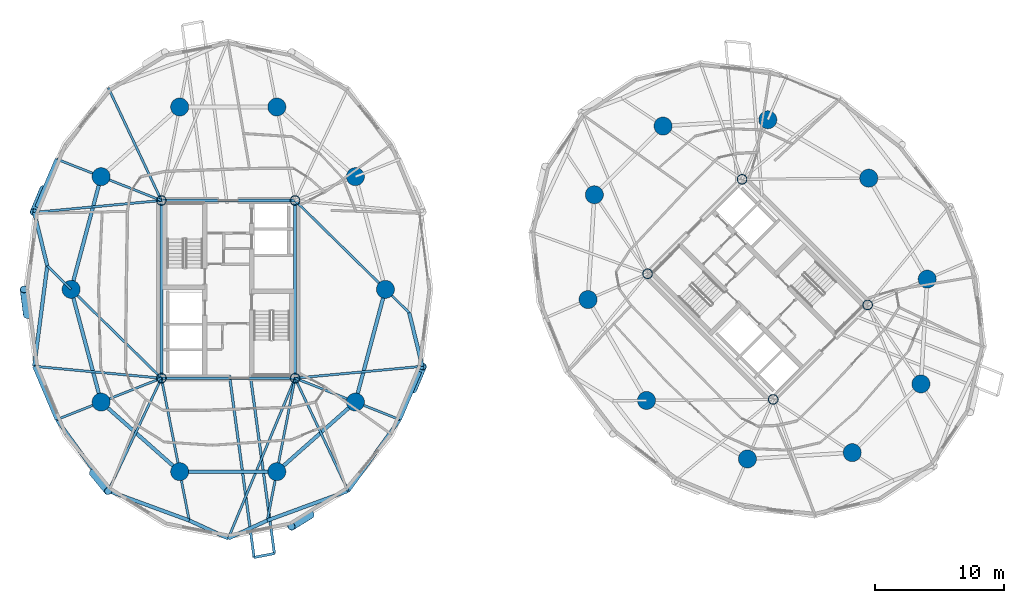
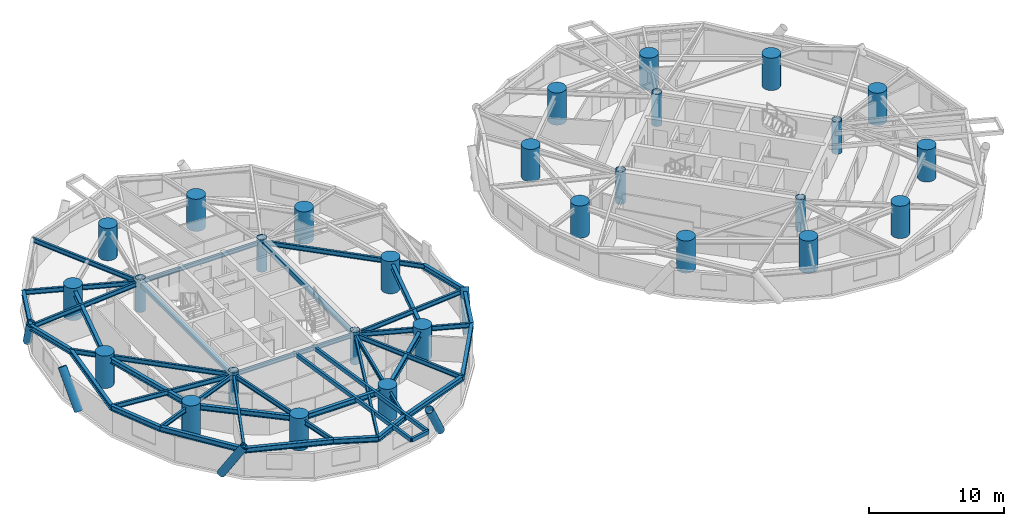
# One storey, part 1 of 17: 40 beams, 28 columns, 5 members.
"""IFC4 building model written with IfcOpenShell, lengths in metres."""

from ifc_helpers import new_model, si_unit, direction, frame, origin, origin_2d, place, context, subcontext, project, spatial, hollow_rectangle, circle, hollow_circle, i_section, extrude, material, material_profile, profile_set, type_object, element, save


model = new_model("IFC4")

# Units and contexts
model_context = context("Model", 3, precision=1e-05, world=origin(), true_north=direction((0.0, 1.0)))
body_context = subcontext(model_context, "Body", "Model", "MODEL_VIEW")
ifc_project = project(units=[si_unit("LENGTHUNIT", "METRE"), si_unit("AREAUNIT", "SQUARE_METRE"), si_unit("VOLUMEUNIT", "CUBIC_METRE"), si_unit("PLANEANGLEUNIT", "RADIAN"), si_unit("MASSUNIT", "GRAM", prefix="KILO")], contexts=[model_context])

# Site, building, storey
site_placement = place(None, origin())
site = spatial("IfcSite", under=ifc_project, at=site_placement, CompositionType="ELEMENT")
building_placement = place(site_placement, origin())
building = spatial("IfcBuilding", under=site, at=building_placement, Name="Cununo Teusaquillo Station Towers", CompositionType="ELEMENT")
storey_placement = place(building_placement, frame((0.0, 0.0, 107.97998046875)))
storey = spatial("IfcBuildingStorey", under=building, at=storey_placement, Name="L34", CompositionType="ELEMENT", Elevation=107.97998046875)

# Columns
ifc_material_1 = material(Name="Steel EN 10025-2 S355J2", Category="steel")
ifc_material_profile_1 = material_profile(ifc_material_1, hollow_circle(Radius=0.3798828125, WallThickness=0.031982421875, at=origin_2d()), Name="CHS 760x32")
ifc_profile_set_1 = profile_set([ifc_material_profile_1], Name="Steel EN 10025-2 S355J2")
column_type_1 = type_object("IfcColumnType", Name="COL-CORE-Z2", PredefinedType="COLUMN", material=ifc_profile_set_1)
for number, where, z_axis, x_axis, name in (
    (1, (11.324951171875, 17.6201171875, 0.0), (0.0, 0.0, 1.0), (1.0, 0.0, 0.0), "L34 Tower A Core Column 1"),
    (2, (11.324951171875, 31.3798828125, 0.0), (0.0, 0.0, 1.0), (1.0, 0.0, 0.0), "L34 Tower A Core Column 2"),
    (3, (21.675048828125, 17.6201171875, 0.0), (0.0, 0.0, 1.0), (1.0, 0.0, 0.0), "L34 Tower A Core Column 3"),
    (4, (21.675048828125, 31.3798828125, 0.0), (0.0, 0.0, 1.0), (1.0, 0.0, 0.0), "L34 Tower A Core Column 4"),
    (5, (58.70556640625, 15.975830078125, 0.0), (0.0, 0.0, 1.0), (0.707106781187, 0.707106781187, 0.0), "L34 Tower B Core Column 1"),
    (6, (48.975830078125, 25.70556640625, 0.0), (0.0, 0.0, 1.0), (0.707106781187, 0.707106781187, 0.0), "L34 Tower B Core Column 2"),
    (7, (66.024169921875, 23.29443359375, 0.0), (0.0, 0.0, 1.0), (0.707106781187, 0.707106781187, 0.0), "L34 Tower B Core Column 3"),
    (8, (56.29443359375, 33.024169921875, 0.0), (0.0, 0.0, 1.0), (0.707106781187, 0.707106781187, 0.0), "L34 Tower B Core Column 4"),
):
    element("IfcColumn", number, at=place(storey_placement, frame(where, z_axis=z_axis, x_axis=x_axis)), inside=storey, type_object=column_type_1, Name=name, PredefinedType="COLUMN", context=body_context, shape_type="SweptSolid", body=[
        extrude(hollow_circle(Radius=0.3798828125, WallThickness=0.031982421875, at=origin_2d()), origin(), (0.0, 0.0, 1.0), 2.909912109375),
    ])
ifc_material_2 = material(Name="Concrete C60/75", Category="concrete")
ifc_material_profile_2 = material_profile(ifc_material_2, circle(Radius=0.699951171875, at=origin_2d()), Name="RC-CIRC-1400")
ifc_profile_set_2 = profile_set([ifc_material_profile_2], Name="Concrete C60/75")
column_type_2 = type_object("IfcColumnType", Name="COL-MEGA-Z2", PredefinedType="USERDEFINED", material=ifc_profile_set_2)
for number, where, z_axis, x_axis, name in (
    (9, (28.672119140625, 24.5, 0.0), (0.0, 0.0, 1.0), (1.0, 0.0, 0.0), "L34 Tower A Perimeter Column V00"),
    (10, (26.347412109375, 33.228515625, 0.0), (0.0, 0.0, 1.0), (1.0, 0.0, 0.0), "L34 Tower A Perimeter Column V02"),
    (11, (20.261474609375, 38.623291015625, 0.0), (0.0, 0.0, 1.0), (1.0, 0.0, 0.0), "L34 Tower A Perimeter Column V04"),
    (12, (12.738525390625, 38.623291015625, 0.0), (0.0, 0.0, 1.0), (1.0, 0.0, 0.0), "L34 Tower A Perimeter Column V06"),
    (13, (6.652587890625, 33.228515625, 0.0), (0.0, 0.0, 1.0), (1.0, 0.0, 0.0), "L34 Tower A Perimeter Column V08"),
    (14, (4.327880859375, 24.5, 0.0), (0.0, 0.0, 1.0), (1.0, 0.0, 0.0), "L34 Tower A Perimeter Column V10"),
    (15, (6.652587890625, 15.771484375, 0.0), (0.0, 0.0, 1.0), (1.0, 0.0, 0.0), "L34 Tower A Perimeter Column V12"),
    (16, (12.738525390625, 10.376708984375, 0.0), (0.0, 0.0, 1.0), (1.0, 0.0, 0.0), "L34 Tower A Perimeter Column V14"),
    (17, (20.261474609375, 10.376708984375, 0.0), (0.0, 0.0, 1.0), (1.0, 0.0, 0.0), "L34 Tower A Perimeter Column V16"),
    (18, (26.347412109375, 15.771484375, 0.0), (0.0, 0.0, 1.0), (1.0, 0.0, 0.0), "L34 Tower A Perimeter Column V18"),
    (19, (66.10693359375, 33.10693359375, 0.0), (0.0, 0.0, 1.0), (1.0, 0.0, 0.0), "L34 Tower B Perimeter Column V00"),
    (20, (58.291015625, 37.63525390625, 0.0), (0.0, 0.0, 1.0), (1.0, 0.0, 0.0), "L34 Tower B Perimeter Column V02"),
    (21, (50.173095703125, 37.146240234375, 0.0), (0.0, 0.0, 1.0), (1.0, 0.0, 0.0), "L34 Tower B Perimeter Column V04"),
    (22, (44.853759765625, 31.826904296875, 0.0), (0.0, 0.0, 1.0), (1.0, 0.0, 0.0), "L34 Tower B Perimeter Column V06"),
    (23, (44.36474609375, 23.708984375, 0.0), (0.0, 0.0, 1.0), (1.0, 0.0, 0.0), "L34 Tower B Perimeter Column V08"),
    (24, (48.89306640625, 15.89306640625, 0.0), (0.0, 0.0, 1.0), (1.0, 0.0, 0.0), "L34 Tower B Perimeter Column V10"),
    (25, (56.708984375, 11.36474609375, 0.0), (0.0, 0.0, 1.0), (1.0, 0.0, 0.0), "L34 Tower B Perimeter Column V12"),
    (26, (64.826904296875, 11.853759765625, 0.0), (0.0, 0.0, 1.0), (1.0, 0.0, 0.0), "L34 Tower B Perimeter Column V14"),
    (27, (70.146240234375, 17.173095703125, 0.0), (0.0, 0.0, 1.0), (1.0, 0.0, 0.0), "L34 Tower B Perimeter Column V16"),
    (28, (70.63525390625, 25.291015625, 0.0), (0.0, 0.0, 1.0), (1.0, 0.0, 0.0), "L34 Tower B Perimeter Column V18"),
):
    element("IfcColumn", number, at=place(storey_placement, frame(where, z_axis=z_axis, x_axis=x_axis)), inside=storey, type_object=column_type_2, Name=name, ObjectType="MEGA COLUMN", PredefinedType="USERDEFINED", context=body_context, shape_type="SweptSolid", body=[
        extrude(circle(Radius=0.699951171875, at=origin_2d()), origin(), (0.0, 0.0, 1.0), 2.909912109375),
    ])

# Beams
ifc_material_3 = material(Name="Steel EN 10025-2 S355J2", Category="steel")
ifc_material_profile_3 = material_profile(ifc_material_3, hollow_rectangle(XDim=0.199951171875, YDim=0.35009765625, WallThickness=0.013916015625, at=origin_2d()), Name="RHS 350x200x14")
ifc_profile_set_3 = profile_set([ifc_material_profile_3], Name="Steel EN 10025-2 S355J2")
beam_type_1 = type_object("IfcBeamType", Name="BM-BAL-CANT", PredefinedType="BEAM", material=ifc_profile_set_3)
beam_1_placement = place(storey_placement, frame((16.59130859375, 17.85009765625, 2.4951171875), z_axis=(0.133936551357, -0.990989909237, 0.0), x_axis=(0.990989909237, 0.133936551357, 0.0)))
element("IfcBeam", 29, at=beam_1_placement, inside=storey, type_object=beam_type_1, Name="L34 Tower A Balcony Cantilever Bracket 2A", PredefinedType="BEAM", context=body_context, shape_type="SweptSolid", body=[
    extrude(hollow_rectangle(XDim=0.199951171875, YDim=0.35009765625, WallThickness=0.013916015625, at=origin_2d()), origin(), (0.0, 0.0, 1.0), 14.24169921875),
])
beam_2_placement = place(storey_placement, frame((18.206298828125, 17.85009765625, 2.4951171875), z_axis=(0.133960678738, -0.990986648019, 0.0), x_axis=(0.990986648019, 0.133960678738, 0.0)))
element("IfcBeam", 30, at=beam_2_placement, inside=storey, type_object=beam_type_1, Name="L34 Tower A Balcony Cantilever Bracket 2B", PredefinedType="BEAM", context=body_context, shape_type="SweptSolid", body=[
    extrude(hollow_rectangle(XDim=0.199951171875, YDim=0.35009765625, WallThickness=0.013916015625, at=origin_2d()), origin(), (0.0, 0.0, 1.0), 13.9345703125),
])
ifc_material_4 = material(Name="Steel EN 10025-2 S355J2", Category="steel")
ifc_material_profile_4 = material_profile(ifc_material_4, hollow_rectangle(XDim=0.25, YDim=0.449951171875, WallThickness=0.01611328125, at=origin_2d()), Name="RHS 450x250x16")
ifc_profile_set_4 = profile_set([ifc_material_profile_4], Name="Steel EN 10025-2 S355J2")
beam_type_2 = type_object("IfcBeamType", Name="BM-COUP-1", PredefinedType="USERDEFINED", material=ifc_profile_set_4)
for number, where, z_axis, x_axis, name in (
    (31, (11.324951171875, 17.6201171875, 2.445068359375), (0.0, 1.0, 0.0), (-1.0, 0.0, 0.0), "L34 Tower A Core Beam 1"),
    (32, (21.675048828125, 17.6201171875, 2.445068359375), (0.0, 1.0, 0.0), (-1.0, 0.0, 0.0), "L34 Tower A Core Beam 2"),
):
    element("IfcBeam", number, at=place(storey_placement, frame(where, z_axis=z_axis, x_axis=x_axis)), inside=storey, type_object=beam_type_2, Name=name, ObjectType="COUPLING BEAM", PredefinedType="USERDEFINED", context=body_context, shape_type="SweptSolid", body=[
        extrude(hollow_rectangle(XDim=0.25, YDim=0.449951171875, WallThickness=0.01611328125, at=origin_2d()), origin(), (0.0, 0.0, 1.0), 13.759765625),
    ])
ifc_material_5 = material(Name="Steel ASTM A572 Grade 50", Category="steel")
ifc_material_profile_5 = material_profile(ifc_material_5, i_section(OverallWidth=0.180908203125, OverallDepth=0.4169921875, WebThickness=0.010986328125, FlangeThickness=0.018310546875, FilletRadius=0.012939453125, at=origin_2d()), Name="W16X57")
ifc_profile_set_5 = profile_set([ifc_material_profile_5], Name="Steel ASTM A572 Grade 50")
beam_type_3 = type_object("IfcBeamType", Name="BM-JOIST-1", PredefinedType="JOIST", material=ifc_profile_set_5)
beam_3_placement = place(storey_placement, frame((11.324951171875, 31.3798828125, 2.46142578125), z_axis=(-0.426319838016, 0.904572493344, 0.0), x_axis=(-0.904572493344, -0.426319838016, 0.0)))
element("IfcBeam", 33, at=beam_3_placement, inside=storey, type_object=beam_type_3, Name="L34 Tower A Radial Spandrel Joist V07", PredefinedType="JOIST", context=body_context, shape_type="SweptSolid", body=[
    extrude(i_section(OverallWidth=0.180908203125, OverallDepth=0.4169921875, WebThickness=0.010986328125, FlangeThickness=0.018310546875, FilletRadius=0.012939453125, at=origin_2d()), origin(), (0.0, 0.0, 1.0), 9.646728515625),
])
for number, where, z_axis, x_axis, name in (
    (34, (11.324951171875, 31.3798828125, 2.46142578125), (-0.995678537907, -0.09286683558, 0.0), (0.09286683558, -0.995678537907, 0.0), "L34 Tower A Radial Spandrel Joist V09"),
    (35, (11.324951171875, 17.6201171875, 2.46142578125), (-0.995678537907, 0.09286683558, 0.0), (-0.09286683558, -0.995678537907, 0.0), "L34 Tower A Radial Spandrel Joist V11"),
):
    element("IfcBeam", number, at=place(storey_placement, frame(where, z_axis=z_axis, x_axis=x_axis)), inside=storey, type_object=beam_type_3, Name=name, PredefinedType="JOIST", context=body_context, shape_type="SweptSolid", body=[
        extrude(i_section(OverallWidth=0.180908203125, OverallDepth=0.4169921875, WebThickness=0.010986328125, FlangeThickness=0.018310546875, FilletRadius=0.012939453125, at=origin_2d()), origin(), (0.0, 0.0, 1.0), 9.895263671875),
    ])
beam_4_placement = place(storey_placement, frame((11.324951171875, 17.6201171875, 2.46142578125), z_axis=(-0.426319838016, -0.904572493344, 0.0), x_axis=(0.904572493344, -0.426319838016, 0.0)))
element("IfcBeam", 36, at=beam_4_placement, inside=storey, type_object=beam_type_3, Name="L34 Tower A Radial Spandrel Joist V13", PredefinedType="JOIST", context=body_context, shape_type="SweptSolid", body=[
    extrude(i_section(OverallWidth=0.180908203125, OverallDepth=0.4169921875, WebThickness=0.010986328125, FlangeThickness=0.018310546875, FilletRadius=0.012939453125, at=origin_2d()), origin(), (0.0, 0.0, 1.0), 9.646728515625),
])
beam_5_placement = place(storey_placement, frame((21.675048828125, 17.6201171875, 2.46142578125), z_axis=(-0.38487837995, -0.922967297713, 0.0), x_axis=(0.922967297713, -0.38487837995, 0.0)))
element("IfcBeam", 37, at=beam_5_placement, inside=storey, type_object=beam_type_3, Name="L34 Tower A Radial Spandrel Joist V15", PredefinedType="JOIST", context=body_context, shape_type="SweptSolid", body=[
    extrude(i_section(OverallWidth=0.180908203125, OverallDepth=0.4169921875, WebThickness=0.010986328125, FlangeThickness=0.018310546875, FilletRadius=0.012939453125, at=origin_2d()), origin(), (0.0, 0.0, 1.0), 13.446044921875),
])
beam_6_placement = place(storey_placement, frame((21.675048828125, 17.6201171875, 2.46142578125), z_axis=(0.426319838016, -0.904572493344, 0.0), x_axis=(0.904572493344, 0.426319838016, 0.0)))
element("IfcBeam", 38, at=beam_6_placement, inside=storey, type_object=beam_type_3, Name="L34 Tower A Radial Spandrel Joist V17", PredefinedType="JOIST", context=body_context, shape_type="SweptSolid", body=[
    extrude(i_section(OverallWidth=0.180908203125, OverallDepth=0.4169921875, WebThickness=0.010986328125, FlangeThickness=0.018310546875, FilletRadius=0.012939453125, at=origin_2d()), origin(), (0.0, 0.0, 1.0), 9.646728515625),
])
beam_7_placement = place(storey_placement, frame((21.675048828125, 17.6201171875, 2.46142578125), z_axis=(0.995678537907, 0.09286683558, 0.0), x_axis=(-0.09286683558, 0.995678537907, 0.0)))
element("IfcBeam", 39, at=beam_7_placement, inside=storey, type_object=beam_type_3, Name="L34 Tower A Radial Spandrel Joist V19", PredefinedType="JOIST", context=body_context, shape_type="SweptSolid", body=[
    extrude(i_section(OverallWidth=0.180908203125, OverallDepth=0.4169921875, WebThickness=0.010986328125, FlangeThickness=0.018310546875, FilletRadius=0.012939453125, at=origin_2d()), origin(), (0.0, 0.0, 1.0), 9.895263671875),
])
ifc_material_6 = material(Name="Steel ASTM A572 Grade 50", Category="steel")
ifc_material_profile_6 = material_profile(ifc_material_6, i_section(OverallWidth=0.2041015625, OverallDepth=0.35009765625, WebThickness=0.008544921875, FlangeThickness=0.01513671875, FilletRadius=0.011962890625, at=origin_2d()), Name="W14X48")
ifc_profile_set_6 = profile_set([ifc_material_profile_6], Name="Steel ASTM A572 Grade 50")
beam_type_4 = type_object("IfcBeamType", Name="BM-LINTEL-1", PredefinedType="LINTEL", material=ifc_profile_set_6)
for number, where, z_axis, x_axis, name in (
    (40, (11.324951171875, 17.6201171875, 2.4951171875), (1.0, 0.0, 0.0), (0.0, 1.0, 0.0), "L34 Tower A Core Beam 3"),
    (41, (11.324951171875, 31.3798828125, 2.4951171875), (1.0, 0.0, 0.0), (0.0, 1.0, 0.0), "L34 Tower A Core Beam 4"),
):
    element("IfcBeam", number, at=place(storey_placement, frame(where, z_axis=z_axis, x_axis=x_axis)), inside=storey, type_object=beam_type_4, Name=name, PredefinedType="LINTEL", context=body_context, shape_type="SweptSolid", body=[
        extrude(i_section(OverallWidth=0.2041015625, OverallDepth=0.35009765625, WebThickness=0.008544921875, FlangeThickness=0.01513671875, FilletRadius=0.011962890625, at=origin_2d()), origin(), (0.0, 0.0, 1.0), 10.35009765625),
    ])
ifc_material_7 = material(Name="Steel ASTM A572 Grade 50", Category="steel")
ifc_material_profile_7 = material_profile(ifc_material_7, i_section(OverallWidth=0.180908203125, OverallDepth=0.4169921875, WebThickness=0.010986328125, FlangeThickness=0.018310546875, FilletRadius=0.012939453125, at=origin_2d()), Name="W16X57")
ifc_profile_set_7 = profile_set([ifc_material_profile_7], Name="Steel ASTM A572 Grade 50")
beam_type_5 = type_object("IfcBeamType", Name="BM-RAD-G2", PredefinedType="BEAM", material=ifc_profile_set_7)
beam_8_placement = place(storey_placement, frame((21.675048828125, 31.3798828125, 2.46142578125), z_axis=(0.713047137857, -0.701116095375, 0.0), x_axis=(0.701116095375, 0.713047137857, 0.0)))
element("IfcBeam", 42, at=beam_8_placement, inside=storey, type_object=beam_type_5, Name="L34 Tower A Continuous Overhanging Radial Girder 01", PredefinedType="BEAM", context=body_context, shape_type="SweptSolid", body=[
    extrude(i_section(OverallWidth=0.180908203125, OverallDepth=0.4169921875, WebThickness=0.010986328125, FlangeThickness=0.018310546875, FilletRadius=0.012939453125, at=origin_2d()), origin(), (0.0, 0.0, 1.0), 12.400390625),
])
beam_9_placement = place(storey_placement, frame((11.324951171875, 31.3798828125, 2.46142578125), z_axis=(-0.929863123823, 0.367905654963, 0.0), x_axis=(-0.367905654963, -0.929863123823, 0.0)))
element("IfcBeam", 43, at=beam_9_placement, inside=storey, type_object=beam_type_5, Name="L34 Tower A Continuous Overhanging Radial Girder 05", PredefinedType="BEAM", context=body_context, shape_type="SweptSolid", body=[
    extrude(i_section(OverallWidth=0.180908203125, OverallDepth=0.4169921875, WebThickness=0.010986328125, FlangeThickness=0.018310546875, FilletRadius=0.012939453125, at=origin_2d()), origin(), (0.0, 0.0, 1.0), 8.715087890625),
])
beam_10_placement = place(storey_placement, frame((11.324951171875, 17.6201171875, 2.46142578125), z_axis=(-0.713052701438, 0.701110437073, 0.0), x_axis=(-0.701110437073, -0.713052701438, 0.0)))
element("IfcBeam", 44, at=beam_10_placement, inside=storey, type_object=beam_type_5, Name="L34 Tower A Radial Girder 06A", PredefinedType="BEAM", context=body_context, shape_type="SweptSolid", body=[
    extrude(i_section(OverallWidth=0.180908203125, OverallDepth=0.4169921875, WebThickness=0.010986328125, FlangeThickness=0.018310546875, FilletRadius=0.012939453125, at=origin_2d()), origin(), (0.0, 0.0, 1.0), 9.812744140625),
])
beam_11_placement = place(storey_placement, frame((4.327880859375, 24.5, 2.46142578125), z_axis=(-0.7130260383, 0.701137553342, 0.0), x_axis=(-0.701137553342, -0.7130260383, 0.0)))
element("IfcBeam", 45, at=beam_11_placement, inside=storey, type_object=beam_type_5, Name="L34 Tower A Perimeter Overhang Girder 06B", PredefinedType="BEAM", context=body_context, shape_type="SweptSolid", body=[
    extrude(i_section(OverallWidth=0.180908203125, OverallDepth=0.4169921875, WebThickness=0.010986328125, FlangeThickness=0.018310546875, FilletRadius=0.012939453125, at=origin_2d()), origin(), (0.0, 0.0, 1.0), 2.58740234375),
])
beam_12_placement = place(storey_placement, frame((11.324951171875, 17.6201171875, 2.46142578125), z_axis=(-0.929863123823, -0.367905654963, 0.0), x_axis=(0.367905654963, -0.929863123823, 0.0)))
element("IfcBeam", 46, at=beam_12_placement, inside=storey, type_object=beam_type_5, Name="L34 Tower A Continuous Overhanging Radial Girder 07", PredefinedType="BEAM", context=body_context, shape_type="SweptSolid", body=[
    extrude(i_section(OverallWidth=0.180908203125, OverallDepth=0.4169921875, WebThickness=0.010986328125, FlangeThickness=0.018310546875, FilletRadius=0.012939453125, at=origin_2d()), origin(), (0.0, 0.0, 1.0), 8.715087890625),
])
for number, where, z_axis, x_axis, name in (
    (47, (11.324951171875, 17.6201171875, 2.46142578125), (0.191552755713, -0.981482318628, 0.0), (0.981482318628, 0.191552755713, 0.0), "L34 Tower A Continuous Overhanging Radial Girder 08"),
    (48, (21.675048828125, 17.6201171875, 2.46142578125), (-0.191552755713, -0.981482318628, 0.0), (0.981482318628, -0.191552755713, 0.0), "L34 Tower A Continuous Overhanging Radial Girder 09"),
):
    element("IfcBeam", number, at=place(storey_placement, frame(where, z_axis=z_axis, x_axis=x_axis)), inside=storey, type_object=beam_type_5, Name=name, PredefinedType="BEAM", context=body_context, shape_type="SweptSolid", body=[
        extrude(i_section(OverallWidth=0.180908203125, OverallDepth=0.4169921875, WebThickness=0.010986328125, FlangeThickness=0.018310546875, FilletRadius=0.012939453125, at=origin_2d()), origin(), (0.0, 0.0, 1.0), 11.22998046875),
    ])
beam_13_placement = place(storey_placement, frame((21.675048828125, 17.6201171875, 2.46142578125), z_axis=(0.929863123823, -0.367905654963, 0.0), x_axis=(0.367905654963, 0.929863123823, 0.0)))
element("IfcBeam", 49, at=beam_13_placement, inside=storey, type_object=beam_type_5, Name="L34 Tower A Continuous Overhanging Radial Girder 10", PredefinedType="BEAM", context=body_context, shape_type="SweptSolid", body=[
    extrude(i_section(OverallWidth=0.180908203125, OverallDepth=0.4169921875, WebThickness=0.010986328125, FlangeThickness=0.018310546875, FilletRadius=0.012939453125, at=origin_2d()), origin(), (0.0, 0.0, 1.0), 8.715087890625),
])
ifc_material_8 = material(Name="Steel ASTM A572 Grade 50", Category="steel")
ifc_material_profile_8 = material_profile(ifc_material_8, i_section(OverallWidth=0.280029296875, OverallDepth=0.462890625, WebThickness=0.0107421875, FlangeThickness=0.017333984375, FilletRadius=0.013916015625, at=origin_2d()), Name="W18X76")
ifc_profile_set_8 = profile_set([ifc_material_profile_8], Name="Steel ASTM A572 Grade 50")
beam_type_6 = type_object("IfcBeamType", Name="BM-RING-Z2", PredefinedType="SPANDREL", material=ifc_profile_set_8)
for number, where, z_axis, x_axis, name in (
    (50, (6.652587890625, 33.228515625, 2.4384765625), (-0.257363196347, -0.966314744359, 0.0), (0.966314744359, -0.257363196347, 0.0), "L34 Tower A Structural Column Ring Girder 05"),
    (51, (4.327880859375, 24.5, 2.4384765625), (0.257363196347, -0.966314744359, 0.0), (0.966314744359, 0.257363196347, 0.0), "L34 Tower A Structural Column Ring Girder 06"),
):
    element("IfcBeam", number, at=place(storey_placement, frame(where, z_axis=z_axis, x_axis=x_axis)), inside=storey, type_object=beam_type_6, Name=name, PredefinedType="SPANDREL", context=body_context, shape_type="SweptSolid", body=[
        extrude(i_section(OverallWidth=0.280029296875, OverallDepth=0.462890625, WebThickness=0.0107421875, FlangeThickness=0.017333984375, FilletRadius=0.013916015625, at=origin_2d()), origin(), (0.0, 0.0, 1.0), 9.03271484375),
    ])
beam_14_placement = place(storey_placement, frame((6.652587890625, 15.771484375, 2.4384765625), z_axis=(0.74832120039, -0.66333655187, 0.0), x_axis=(0.66333655187, 0.74832120039, 0.0)))
element("IfcBeam", 52, at=beam_14_placement, inside=storey, type_object=beam_type_6, Name="L34 Tower A Structural Column Ring Girder 07", PredefinedType="SPANDREL", context=body_context, shape_type="SweptSolid", body=[
    extrude(i_section(OverallWidth=0.280029296875, OverallDepth=0.462890625, WebThickness=0.0107421875, FlangeThickness=0.017333984375, FilletRadius=0.013916015625, at=origin_2d()), origin(), (0.0, 0.0, 1.0), 8.1328125),
])
beam_15_placement = place(storey_placement, frame((12.738525390625, 10.376708984375, 2.4384765625), z_axis=(1.0, 0.0, 0.0), x_axis=(0.0, 1.0, 0.0)))
element("IfcBeam", 53, at=beam_15_placement, inside=storey, type_object=beam_type_6, Name="L34 Tower A Structural Column Ring Girder 08", PredefinedType="SPANDREL", context=body_context, shape_type="SweptSolid", body=[
    extrude(i_section(OverallWidth=0.280029296875, OverallDepth=0.462890625, WebThickness=0.0107421875, FlangeThickness=0.017333984375, FilletRadius=0.013916015625, at=origin_2d()), origin(), (0.0, 0.0, 1.0), 7.52294921875),
])
beam_16_placement = place(storey_placement, frame((20.261474609375, 10.376708984375, 2.4384765625), z_axis=(0.74832120039, 0.66333655187, 0.0), x_axis=(-0.66333655187, 0.74832120039, 0.0)))
element("IfcBeam", 54, at=beam_16_placement, inside=storey, type_object=beam_type_6, Name="L34 Tower A Structural Column Ring Girder 09", PredefinedType="SPANDREL", context=body_context, shape_type="SweptSolid", body=[
    extrude(i_section(OverallWidth=0.280029296875, OverallDepth=0.462890625, WebThickness=0.0107421875, FlangeThickness=0.017333984375, FilletRadius=0.013916015625, at=origin_2d()), origin(), (0.0, 0.0, 1.0), 8.1328125),
])
beam_17_placement = place(storey_placement, frame((26.347412109375, 15.771484375, 2.4384765625), z_axis=(0.257363196347, 0.966314744359, 0.0), x_axis=(-0.966314744359, 0.257363196347, 0.0)))
element("IfcBeam", 55, at=beam_17_placement, inside=storey, type_object=beam_type_6, Name="L34 Tower A Structural Column Ring Girder 10", PredefinedType="SPANDREL", context=body_context, shape_type="SweptSolid", body=[
    extrude(i_section(OverallWidth=0.280029296875, OverallDepth=0.462890625, WebThickness=0.0107421875, FlangeThickness=0.017333984375, FilletRadius=0.013916015625, at=origin_2d()), origin(), (0.0, 0.0, 1.0), 9.03271484375),
])
beam_18_placement = place(storey_placement, frame((3.22119140625, 34.586181640625, 2.4384765625), z_axis=(-0.390299356049, -0.920688010494, 0.0), x_axis=(0.920688010494, -0.390299356049, 0.0)))
element("IfcBeam", 56, at=beam_18_placement, inside=storey, type_object=beam_type_6, Name="L34 Tower A Spandrel Ring Beam 09", PredefinedType="SPANDREL", context=body_context, shape_type="SweptSolid", body=[
    extrude(i_section(OverallWidth=0.280029296875, OverallDepth=0.462890625, WebThickness=0.0107421875, FlangeThickness=0.017333984375, FilletRadius=0.013916015625, at=origin_2d()), origin(), (0.0, 0.0, 1.0), 4.480712890625),
])
beam_19_placement = place(storey_placement, frame((1.472412109375, 30.4609375, 2.4384765625), z_axis=(0.236757334703, -0.971568816124, 0.0), x_axis=(0.971568816124, 0.236757334703, 0.0)))
element("IfcBeam", 57, at=beam_19_placement, inside=storey, type_object=beam_type_6, Name="L34 Tower A Spandrel Ring Beam 10", PredefinedType="SPANDREL", context=body_context, shape_type="SweptSolid", body=[
    extrude(i_section(OverallWidth=0.280029296875, OverallDepth=0.462890625, WebThickness=0.0107421875, FlangeThickness=0.017333984375, FilletRadius=0.013916015625, at=origin_2d()), origin(), (0.0, 0.0, 1.0), 4.26806640625),
])
beam_20_placement = place(storey_placement, frame((2.48291015625, 26.314208984375, 2.4384765625), z_axis=(-0.12888124113, -0.991660035337, 0.0), x_axis=(0.991660035337, -0.12888124113, 0.0)))
element("IfcBeam", 58, at=beam_20_placement, inside=storey, type_object=beam_type_6, Name="L34 Tower A Spandrel Ring Beam 11", PredefinedType="SPANDREL", context=body_context, shape_type="SweptSolid", body=[
    extrude(i_section(OverallWidth=0.280029296875, OverallDepth=0.462890625, WebThickness=0.0107421875, FlangeThickness=0.017333984375, FilletRadius=0.013916015625, at=origin_2d()), origin(), (0.0, 0.0, 1.0), 7.840576171875),
])
beam_21_placement = place(storey_placement, frame((1.472412109375, 18.5390625, 2.4384765625), z_axis=(0.390299356049, -0.920688010494, 0.0), x_axis=(0.920688010494, 0.390299356049, 0.0)))
element("IfcBeam", 59, at=beam_21_placement, inside=storey, type_object=beam_type_6, Name="L34 Tower A Spandrel Ring Beam 12", PredefinedType="SPANDREL", context=body_context, shape_type="SweptSolid", body=[
    extrude(i_section(OverallWidth=0.280029296875, OverallDepth=0.462890625, WebThickness=0.0107421875, FlangeThickness=0.017333984375, FilletRadius=0.013916015625, at=origin_2d()), origin(), (0.0, 0.0, 1.0), 4.480712890625),
])
beam_22_placement = place(storey_placement, frame((3.22119140625, 14.413818359375, 2.4384765625), z_axis=(0.58594455724, -0.810351143543, 0.0), x_axis=(0.810351143543, 0.58594455724, 0.0)))
element("IfcBeam", 60, at=beam_22_placement, inside=storey, type_object=beam_type_6, Name="L34 Tower A Spandrel Ring Beam 13", PredefinedType="SPANDREL", context=body_context, shape_type="SweptSolid", body=[
    extrude(i_section(OverallWidth=0.280029296875, OverallDepth=0.462890625, WebThickness=0.0107421875, FlangeThickness=0.017333984375, FilletRadius=0.013916015625, at=origin_2d()), origin(), (0.0, 0.0, 1.0), 6.8115234375),
])
beam_23_placement = place(storey_placement, frame((7.21240234375, 8.89404296875, 2.4384765625), z_axis=(0.938914161016, -0.34415141761, 0.0), x_axis=(0.34415141761, 0.938914161016, 0.0)))
element("IfcBeam", 61, at=beam_23_placement, inside=storey, type_object=beam_type_6, Name="L34 Tower A Spandrel Ring Beam 14", PredefinedType="SPANDREL", context=body_context, shape_type="SweptSolid", body=[
    extrude(i_section(OverallWidth=0.280029296875, OverallDepth=0.462890625, WebThickness=0.0107421875, FlangeThickness=0.017333984375, FilletRadius=0.013916015625, at=origin_2d()), origin(), (0.0, 0.0, 1.0), 6.671142578125),
])
for number, where, z_axis, x_axis, name in (
    (62, (13.47607421875, 6.59814453125, 2.4384765625), (0.908812215281, -0.417205413862, 0.0), (0.417205413862, 0.908812215281, 0.0), "L34 Tower A Spandrel Ring Beam 15"),
    (63, (16.5, 5.2099609375, 2.4384765625), (0.908812215281, 0.417205413862, 0.0), (-0.417205413862, 0.908812215281, 0.0), "L34 Tower A Spandrel Ring Beam 16"),
):
    element("IfcBeam", number, at=place(storey_placement, frame(where, z_axis=z_axis, x_axis=x_axis)), inside=storey, type_object=beam_type_6, Name=name, PredefinedType="SPANDREL", context=body_context, shape_type="SweptSolid", body=[
        extrude(i_section(OverallWidth=0.280029296875, OverallDepth=0.462890625, WebThickness=0.0107421875, FlangeThickness=0.017333984375, FilletRadius=0.013916015625, at=origin_2d()), origin(), (0.0, 0.0, 1.0), 3.327392578125),
    ])
beam_24_placement = place(storey_placement, frame((19.52392578125, 6.59814453125, 2.4384765625), z_axis=(0.938914161016, 0.34415141761, 0.0), x_axis=(-0.34415141761, 0.938914161016, 0.0)))
element("IfcBeam", 64, at=beam_24_placement, inside=storey, type_object=beam_type_6, Name="L34 Tower A Spandrel Ring Beam 17", PredefinedType="SPANDREL", context=body_context, shape_type="SweptSolid", body=[
    extrude(i_section(OverallWidth=0.280029296875, OverallDepth=0.462890625, WebThickness=0.0107421875, FlangeThickness=0.017333984375, FilletRadius=0.013916015625, at=origin_2d()), origin(), (0.0, 0.0, 1.0), 6.671142578125),
])
beam_25_placement = place(storey_placement, frame((25.78759765625, 8.89404296875, 2.4384765625), z_axis=(0.58594455724, 0.810351143543, 0.0), x_axis=(-0.810351143543, 0.58594455724, 0.0)))
element("IfcBeam", 65, at=beam_25_placement, inside=storey, type_object=beam_type_6, Name="L34 Tower A Spandrel Ring Beam 18", PredefinedType="SPANDREL", context=body_context, shape_type="SweptSolid", body=[
    extrude(i_section(OverallWidth=0.280029296875, OverallDepth=0.462890625, WebThickness=0.0107421875, FlangeThickness=0.017333984375, FilletRadius=0.013916015625, at=origin_2d()), origin(), (0.0, 0.0, 1.0), 6.8115234375),
])
beam_26_placement = place(storey_placement, frame((29.77880859375, 14.413818359375, 2.4384765625), z_axis=(0.390299356049, 0.920688010494, 0.0), x_axis=(-0.920688010494, 0.390299356049, 0.0)))
element("IfcBeam", 66, at=beam_26_placement, inside=storey, type_object=beam_type_6, Name="L34 Tower A Spandrel Ring Beam 19", PredefinedType="SPANDREL", context=body_context, shape_type="SweptSolid", body=[
    extrude(i_section(OverallWidth=0.280029296875, OverallDepth=0.462890625, WebThickness=0.0107421875, FlangeThickness=0.017333984375, FilletRadius=0.013916015625, at=origin_2d()), origin(), (0.0, 0.0, 1.0), 4.480712890625),
])
beam_27_placement = place(storey_placement, frame((31.527587890625, 18.5390625, 2.4384765625), z_axis=(-0.236757334703, 0.971568816124, 0.0), x_axis=(-0.971568816124, -0.236757334703, 0.0)))
element("IfcBeam", 67, at=beam_27_placement, inside=storey, type_object=beam_type_6, Name="L34 Tower A Spandrel Ring Beam 20", PredefinedType="SPANDREL", context=body_context, shape_type="SweptSolid", body=[
    extrude(i_section(OverallWidth=0.280029296875, OverallDepth=0.462890625, WebThickness=0.0107421875, FlangeThickness=0.017333984375, FilletRadius=0.013916015625, at=origin_2d()), origin(), (0.0, 0.0, 1.0), 4.26806640625),
])
ifc_material_9 = material(Name="Steel EN 10025-2 S355J2", Category="steel")
ifc_material_profile_9 = material_profile(ifc_material_9, hollow_rectangle(XDim=0.199951171875, YDim=0.35009765625, WallThickness=0.013916015625, at=origin_2d()), Name="RHS 350x200x14")
ifc_profile_set_9 = profile_set([ifc_material_profile_9], Name="Steel EN 10025-2 S355J2")
beam_type_7 = type_object("IfcBeamType", Name="BM-STAIR-TRIM", PredefinedType="BEAM", material=ifc_profile_set_9)
beam_28_placement = place(storey_placement, frame((18.498779296875, 3.73681640625, 2.52490234375), z_axis=(0.981836621572, 0.189728354603, 0.0), x_axis=(-0.189728354603, 0.981836621572, 0.0)))
element("IfcBeam", 68, at=beam_28_placement, inside=storey, type_object=beam_type_7, Name="L34 Tower A Balcony Edge Trimmer Beam 2", PredefinedType="BEAM", context=body_context, shape_type="SweptSolid", body=[
    extrude(hollow_rectangle(XDim=0.199951171875, YDim=0.35009765625, WallThickness=0.013916015625, at=origin_2d()), origin(), (0.0, 0.0, 1.0), 1.603271484375),
])

# Members
ifc_material_10 = material(Name="Steel EN 10025-2 S355J2", Category="steel")
ifc_material_profile_10 = material_profile(ifc_material_10, hollow_circle(Radius=0.330078125, WallThickness=0.02490234375, at=origin_2d()), Name="CHS 660x25")
ifc_profile_set_10 = profile_set([ifc_material_profile_10], Name="Steel EN 10025-2 S355J2")
member_type = type_object("IfcMemberType", Name="MBR-DIAG-Z2", PredefinedType="BRACE", material=ifc_profile_set_10)
member_1_placement = place(storey_placement, frame((2.220458984375, 32.25341796875, -0.139892578125), z_axis=(-0.213813667787, -0.512343325357, 0.831737958993), x_axis=(0.922861086318, -0.385132983993, 0.0)))
element("IfcMember", 69, at=member_1_placement, inside=storey, type_object=member_type, Name="L34 Tower A Folded-Zigzag Diagrid Tube C08", PredefinedType="BRACE", context=body_context, shape_type="SweptSolid", body=[
    extrude(hollow_circle(Radius=0.330078125, WallThickness=0.02490234375, at=origin_2d()), origin(), (0.0, 0.0, 1.0), 3.49853515625),
])
member_2_placement = place(storey_placement, frame((0.956787109375, 22.512939453125, -0.139892578125), z_axis=(-0.072971585914, 0.562420206205, 0.823625314874), x_axis=(-0.991687829619, -0.128667200894, 0.0)))
element("IfcMember", 70, at=member_2_placement, inside=storey, type_object=member_type, Name="L34 Tower A Folded-Zigzag Diagrid Tube C10", PredefinedType="BRACE", context=body_context, shape_type="SweptSolid", body=[
    extrude(hollow_circle(Radius=0.330078125, WallThickness=0.02490234375, at=origin_2d()), origin(), (0.0, 0.0, 1.0), 3.532958984375),
])
member_3_placement = place(storey_placement, frame((6.047119140625, 10.316650390625, -0.139892578125), z_axis=(0.338520838688, -0.413274864244, 0.845344621062), x_axis=(0.773602270202, 0.633671466565, 0.0)))
element("IfcMember", 71, at=member_3_placement, inside=storey, type_object=member_type, Name="L34 Tower A Folded-Zigzag Diagrid Tube C12", PredefinedType="BRACE", context=body_context, shape_type="SweptSolid", body=[
    extrude(hollow_circle(Radius=0.330078125, WallThickness=0.02490234375, at=origin_2d()), origin(), (0.0, 0.0, 1.0), 3.4423828125),
])
member_4_placement = place(storey_placement, frame((22.85107421875, 7.0673828125, -0.139892578125), z_axis=(-0.433768032271, -0.269824776975, 0.859674289432), x_axis=(0.528195574716, -0.849122744278, 0.0)))
element("IfcMember", 72, at=member_4_placement, inside=storey, type_object=member_type, Name="L34 Tower A Folded-Zigzag Diagrid Tube C16", PredefinedType="BRACE", context=body_context, shape_type="SweptSolid", body=[
    extrude(hollow_circle(Radius=0.330078125, WallThickness=0.02490234375, at=origin_2d()), origin(), (0.0, 0.0, 1.0), 3.385009765625),
])
member_5_placement = place(storey_placement, frame((30.779541015625, 16.74658203125, -0.139892578125), z_axis=(0.213813667787, 0.512343325357, 0.831737958993), x_axis=(-0.922861086318, 0.385132983993, 0.0)))
element("IfcMember", 73, at=member_5_placement, inside=storey, type_object=member_type, Name="L34 Tower A Folded-Zigzag Diagrid Tube C18", PredefinedType="BRACE", context=body_context, shape_type="SweptSolid", body=[
    extrude(hollow_circle(Radius=0.330078125, WallThickness=0.02490234375, at=origin_2d()), origin(), (0.0, 0.0, 1.0), 3.49853515625),
])

save(model, "model.ifc")
